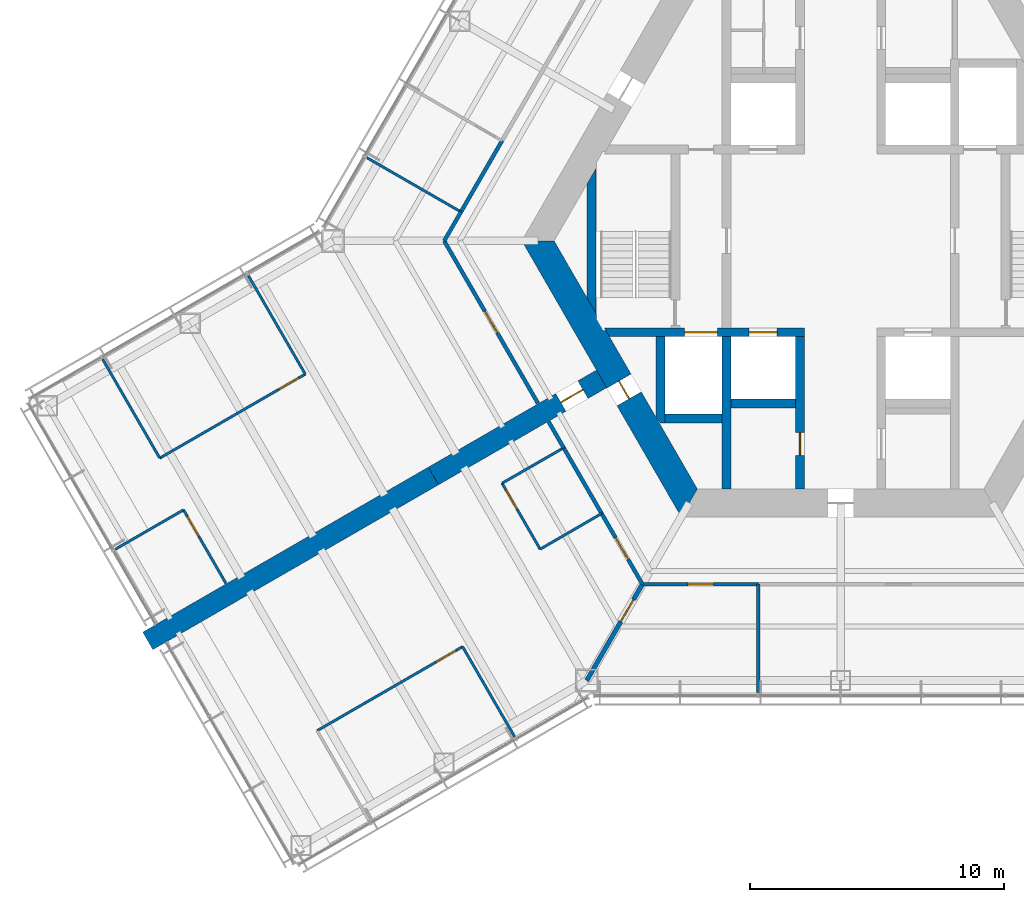
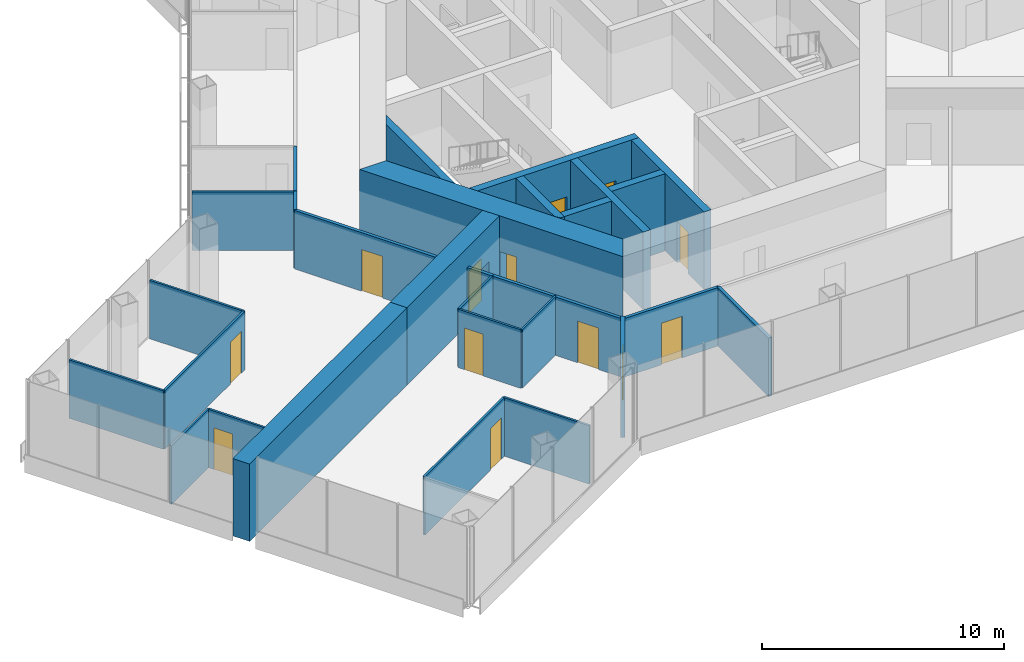
# One storey, part 12 of 18: 30 walls, 13 doors, 13 openings.
"""IFC4 building model written with IfcOpenShell, lengths in metres."""

from ifc_helpers import new_model, si_unit, direction, frame, frame_2d, origin, place, context, subcontext, project, spatial, polyline, rectangle, outline, extrude, material, layer, layer_set, type_object, element, fill, save


model = new_model("IFC4")

# Units and contexts
model_context = context("Model", 3, precision=1e-05, world=origin(), true_north=direction((0.0, 1.0)))
body_context = subcontext(model_context, "Body", "Model", "MODEL_VIEW")
ifc_project = project(units=[si_unit("LENGTHUNIT", "METRE"), si_unit("AREAUNIT", "SQUARE_METRE"), si_unit("VOLUMEUNIT", "CUBIC_METRE"), si_unit("PLANEANGLEUNIT", "RADIAN"), si_unit("MASSUNIT", "GRAM", prefix="KILO")], contexts=[model_context])

# Site, building, storey
site_placement = place(None, origin())
site = spatial("IfcSite", under=ifc_project, at=site_placement, CompositionType="ELEMENT")
building_placement = place(site_placement, origin())
building = spatial("IfcBuilding", under=site, at=building_placement, Name="Kasaneha Research Tower", CompositionType="ELEMENT")
storey_placement = place(building_placement, frame((0.0, 0.0, 80.699951171875)))
storey = spatial("IfcBuildingStorey", under=building, at=storey_placement, Name="L20", CompositionType="ELEMENT", Elevation=80.699951171875)

# Wall, openings, doors
ifc_material_1 = material(Name="Concrete Fc80", Category="concrete")
ifc_layer_1 = layer(ifc_material_1, 0.35009765625)
ifc_layer_set_1 = layer_set([ifc_layer_1], Name="Core internal wall 350 Fc80")
wall_type_1 = type_object("IfcWallType", Name="Core internal wall 350 Fc80", PredefinedType="SHEAR", material=ifc_layer_set_1)
wall_1_placement = place(storey_placement, frame((-9.208740234375, -3.60009765625, 0.0), z_axis=(0.0, 0.0, 1.0), x_axis=(1.0, 0.0, 0.0)))
wall_1 = element("IfcWall", 1, at=wall_1_placement, inside=storey, type_object=wall_type_1, Name="Core wall W2W L20", PredefinedType="SHEAR", context=body_context, shape_type="SweptSolid", body=[
    extrude(outline(polyline([(0.10107421875, -0.175048828125), (3.058837890625, -0.175048828125), (4.35888671875, -0.175048828125), (5.608642578125, -0.175048828125), (6.708740234375, -0.175048828125), (7.78369140625, -0.175048828125), (7.78369140625, 0.175048828125), (6.708740234375, 0.175048828125), (5.608642578125, 0.175048828125), (4.35888671875, 0.175048828125), (3.058837890625, 0.175048828125), (-0.10107421875, 0.175048828125), (0.10107421875, -0.175048828125)])), origin(), (0.0, 0.0, 1.0), 3.900146484375),
])
opening_1_placement = place(wall_1_placement, frame((5.608642578125, 0.0, 0.0)))
opening_1 = element("IfcOpeningElement", 2, at=opening_1_placement, cuts=wall_1, Name="Opening LD-LO2-L20", PredefinedType="OPENING", context=body_context, shape_type="SweptSolid", body=[
    extrude(rectangle(XDim=1.10009765625, YDim=2.10009765625, at=frame_2d((0.550048828125, 1.050048828125))), frame((0.0, 0.18505859375, 0.0), z_axis=(0.0, -1.0, 0.0), x_axis=(1.0, 0.0, 0.0)), (0.0, 0.0, 1.0), 0.3701171875),
])
opening_2_placement = place(wall_1_placement, frame((3.058837890625, 0.0, 0.0)))
opening_2 = element("IfcOpeningElement", 3, at=opening_2_placement, cuts=wall_1, Name="Opening LD-FL2-L20", PredefinedType="OPENING", context=body_context, shape_type="SweptSolid", body=[
    extrude(rectangle(XDim=1.300048828125, YDim=2.10009765625, at=frame_2d((0.64990234375, 1.050048828125))), frame((0.0, 0.18505859375, 0.0), z_axis=(0.0, -1.0, 0.0), x_axis=(1.0, 0.0, 0.0)), (0.0, 0.0, 1.0), 0.3701171875),
])
ifc_material_2 = material(Name="Steel", Category="steel")
door_type_1 = type_object("IfcDoorType", Name="Lift landing door 1100x2100", OperationType="DOUBLE_DOOR_SLIDING", PredefinedType="DOOR", material=ifc_material_2)
door_1_placement = place(opening_1_placement, origin())
door_1 = element("IfcDoor", 4, at=door_1_placement, inside=storey, type_object=door_type_1, Name="Landing door LO2 LD-LO2-L20", OperationType="DOUBLE_DOOR_SLIDING", OverallHeight=2.10009765625, OverallWidth=1.10009765625, PredefinedType="DOOR", context=body_context, shape_type="SweptSolid", body=[
    extrude(rectangle(XDim=1.10009765625, YDim=2.10009765625, at=frame_2d((0.550048828125, 1.050048828125))), frame((0.0, 0.02490234375, 0.0), z_axis=(0.0, -1.0, 0.0), x_axis=(1.0, 0.0, 0.0)), (0.0, 0.0, 1.0), 0.050048828125),
])
fill(opening_1, door_1)
ifc_material_3 = material(Name="Steel", Category="steel")
door_type_2 = type_object("IfcDoorType", Name="Lift landing door 1300x2100", OperationType="DOUBLE_DOOR_SLIDING", PredefinedType="DOOR", material=ifc_material_3)
door_2_placement = place(opening_2_placement, origin())
door_2 = element("IfcDoor", 5, at=door_2_placement, inside=storey, type_object=door_type_2, Name="Landing door FL2 LD-FL2-L20", OperationType="DOUBLE_DOOR_SLIDING", OverallHeight=2.10009765625, OverallWidth=1.300048828125, PredefinedType="DOOR", context=body_context, shape_type="SweptSolid", body=[
    extrude(rectangle(XDim=1.300048828125, YDim=2.10009765625, at=frame_2d((0.64990234375, 1.050048828125))), frame((0.0, 0.02490234375, 0.0), z_axis=(0.0, -1.0, 0.0), x_axis=(1.0, 0.0, 0.0)), (0.0, 0.0, 1.0), 0.050048828125),
])
fill(opening_2, door_2)

# Wall, opening, door
wall_2_placement = place(storey_placement, frame((-1.60009765625, -3.77490234375, 0.0), z_axis=(0.0, 0.0, 1.0), x_axis=(0.0, -1.0, 0.0)))
wall_2 = element("IfcWall", 6, at=wall_2_placement, inside=storey, type_object=wall_type_1, Name="Core wall CSW L20", PredefinedType="SHEAR", context=body_context, shape_type="SweptSolid", body=[
    extrude(rectangle(XDim=6.0, YDim=0.35009765625, at=frame_2d((3.0, 0.0))), origin(), (0.0, 0.0, 1.0), 3.900146484375),
])
opening_3_placement = place(wall_2_placement, frame((3.77490234375, 0.0, 0.0)))
opening_3 = element("IfcOpeningElement", 7, at=opening_3_placement, cuts=wall_2, Name="Opening L20-D16", PredefinedType="OPENING", context=body_context, shape_type="SweptSolid", body=[
    extrude(rectangle(XDim=0.89990234375, YDim=2.10009765625, at=frame_2d((0.449951171875, 1.050048828125))), frame((0.0, 0.18505859375, 0.0), z_axis=(0.0, -1.0, 0.0), x_axis=(1.0, 0.0, 0.0)), (0.0, 0.0, 1.0), 0.3701171875),
])
ifc_material_4 = material(Name="Steel", Category="steel")
door_type_3 = type_object("IfcDoorType", Name="Riser access door FD60 900x2100", OperationType="NOTDEFINED", PredefinedType="DOOR", material=ifc_material_4)
door_3_placement = place(opening_3_placement, origin())
door_3 = element("IfcDoor", 8, at=door_3_placement, inside=storey, type_object=door_type_3, Name="Electrical riser door L20-D16", OperationType="SINGLE_SWING_LEFT", OverallHeight=2.10009765625, OverallWidth=0.89990234375, PredefinedType="DOOR", context=body_context, shape_type="SweptSolid", body=[
    extrude(rectangle(XDim=0.89990234375, YDim=2.10009765625, at=frame_2d((0.449951171875, 1.050048828125))), frame((0.0, 0.02490234375, 0.0), z_axis=(0.0, -1.0, 0.0), x_axis=(1.0, 0.0, 0.0)), (0.0, 0.0, 1.0), 0.050048828125),
])
fill(opening_3, door_3)

# Walls
wall_3_placement = place(storey_placement, frame((-4.5, -3.77490234375, 0.0), z_axis=(0.0, 0.0, 1.0), x_axis=(0.0, -1.0, 0.0)))
element("IfcWall", 9, at=wall_3_placement, inside=storey, type_object=wall_type_1, Name="Core wall SSW L20", PredefinedType="SHEAR", context=body_context, shape_type="SweptSolid", body=[
    extrude(rectangle(XDim=6.0, YDim=0.35009765625, at=frame_2d((3.0, 0.0))), origin(), (0.0, 0.0, 1.0), 3.900146484375),
])
wall_4_placement = place(storey_placement, frame((-4.324951171875, -6.39990234375, 0.0), z_axis=(0.0, 0.0, 1.0), x_axis=(1.0, 0.0, 0.0)))
element("IfcWall", 10, at=wall_4_placement, inside=storey, type_object=wall_type_1, Name="Core wall S1S L20", PredefinedType="SHEAR", context=body_context, shape_type="SweptSolid", body=[
    extrude(rectangle(XDim=2.550048828125, YDim=0.35009765625, at=frame_2d((1.27490234375, 0.0))), origin(), (0.0, 0.0, 1.0), 3.900146484375),
])
wall_5_placement = place(storey_placement, frame((-6.925048828125, -7.0, 0.0), z_axis=(0.0, 0.0, 1.0), x_axis=(1.0, 0.0, 0.0)))
element("IfcWall", 11, at=wall_5_placement, inside=storey, type_object=wall_type_1, Name="Core wall F2S L20", PredefinedType="SHEAR", context=body_context, shape_type="SweptSolid", body=[
    extrude(rectangle(XDim=2.25, YDim=0.35009765625, at=frame_2d((1.125, 0.0))), origin(), (0.0, 0.0, 1.0), 3.900146484375),
])
wall_6_placement = place(storey_placement, frame((-7.10009765625, -3.77490234375, 0.0), z_axis=(0.0, 0.0, 1.0), x_axis=(0.0, -1.0, 0.0)))
element("IfcWall", 12, at=wall_6_placement, inside=storey, type_object=wall_type_1, Name="Core wall F2W L20", PredefinedType="SHEAR", context=body_context, shape_type="SweptSolid", body=[
    extrude(outline(polyline([(0.0, -0.175048828125), (3.174560546875, -0.175048828125), (3.400146484375, 0.0), (3.400146484375, 0.175048828125), (0.0, 0.175048828125), (0.0, -0.175048828125)])), origin(), (0.0, 0.0, 1.0), 3.900146484375),
])
wall_7_placement = place(storey_placement, frame((-9.807861328125, -2.562255859375, 0.0), z_axis=(0.0, 0.0, 1.0), x_axis=(0.0, 1.0, 0.0)))
element("IfcWall", 13, at=wall_7_placement, inside=storey, type_object=wall_type_1, Name="Core wall STW L20", PredefinedType="SHEAR", context=body_context, shape_type="SweptSolid", body=[
    extrude(outline(polyline([(-0.30322265625, -0.175048828125), (5.427734375, -0.175048828125), (4.8212890625, 0.175048828125), (0.30322265625, 0.175048828125), (-0.30322265625, -0.175048828125)])), origin(), (0.0, 0.0, 1.0), 3.900146484375),
])

# Wall, opening, door
ifc_material_5 = material(Name="Concrete Fc80", Category="concrete")
ifc_layer_2 = layer(ifc_material_5, 1.10009765625)
ifc_layer_set_2 = layer_set([ifc_layer_2], Name="Core wall 1100 Fc80")
wall_type_2 = type_object("IfcWallType", Name="Core wall 1100 Fc80", PredefinedType="SHEAR", material=ifc_layer_set_2)
wall_8_placement = place(storey_placement, frame((-11.92236328125, 0.0, 0.0), z_axis=(0.0, 0.0, 1.0), x_axis=(0.500004296715, -0.866022923061, 0.0)))
wall_8 = element("IfcWall", 14, at=wall_8_placement, inside=storey, type_object=wall_type_2, Name="Core wall 210 L20", PredefinedType="SHEAR", context=body_context, shape_type="SweptSolid", body=[
    extrude(outline(polyline([(-0.317626953125, -0.550048828125), (6.381103515625, -0.550048828125), (7.18115234375, -0.550048828125), (12.239990234375, -0.550048828125), (11.604736328125, 0.550048828125), (7.18115234375, 0.550048828125), (6.381103515625, 0.550048828125), (0.317626953125, 0.550048828125), (-0.317626953125, -0.550048828125)])), origin(), (0.0, 0.0, 1.0), 3.900146484375),
])
opening_4_placement = place(wall_8_placement, frame((6.381103515625, 0.0, 0.0)))
opening_4 = element("IfcOpeningElement", 15, at=opening_4_placement, cuts=wall_8, Name="Opening L20-D06", PredefinedType="OPENING", context=body_context, shape_type="SweptSolid", body=[
    extrude(rectangle(XDim=0.800048828125, YDim=2.10009765625, at=frame_2d((0.39990234375, 1.050048828125))), frame((0.0, 0.56005859375, 0.0), z_axis=(0.0, -1.0, 0.0), x_axis=(1.0, 0.0, 0.0)), (0.0, 0.0, 1.0), 1.1201171875),
])
ifc_material_6 = material(Name="Steel", Category="steel")
door_type_4 = type_object("IfcDoorType", Name="Riser access door FD60 800x2100", OperationType="NOTDEFINED", PredefinedType="DOOR", material=ifc_material_6)
door_4_placement = place(opening_4_placement, origin())
door_4 = element("IfcDoor", 16, at=door_4_placement, inside=storey, type_object=door_type_4, Name="Duct riser door L20-D06", OperationType="SINGLE_SWING_RIGHT", OverallHeight=2.10009765625, OverallWidth=0.800048828125, PredefinedType="DOOR", context=body_context, shape_type="SweptSolid", body=[
    extrude(rectangle(XDim=0.800048828125, YDim=2.10009765625, at=frame_2d((0.39990234375, 1.050048828125))), frame((0.0, 0.02490234375, 0.0), z_axis=(0.0, -1.0, 0.0), x_axis=(1.0, 0.0, 0.0)), (0.0, 0.0, 1.0), 0.050048828125),
])
fill(opening_4, door_4)

# Walls
ifc_material_7 = material(Name="Gypsum board on steel studs, one layer each side", Category="steel")
ifc_layer_3 = layer(ifc_material_7, 0.10009765625)
ifc_layer_set_3 = layer_set([ifc_layer_3], Name="Office partition 100")
wall_type_3 = type_object("IfcWallType", Name="Office partition 100", PredefinedType="PARTITIONING", material=ifc_layer_set_3)
wall_9_placement = place(storey_placement, frame((-14.957275390625, 1.143310546875, 0.0), z_axis=(0.0, 0.0, 1.0), x_axis=(-0.86652666665, 0.499130780441, 0.0)))
element("IfcWall", 17, at=wall_9_placement, inside=storey, type_object=wall_type_3, Name="Office partition FBN06 L20", PredefinedType="PARTITIONING", context=body_context, shape_type="SweptSolid", body=[
    extrude(rectangle(XDim=4.275390625, YDim=0.10009765625, at=frame_2d((2.1376953125, 0.0))), origin(), (0.0, 0.0, 1.0), 2.949951171875),
])
wall_10_placement = place(storey_placement, frame((-26.824951171875, -8.55908203125, 0.0), z_axis=(0.0, 0.0, 1.0), x_axis=(-0.500013631625, 0.866017533419, 0.0)))
element("IfcWall", 18, at=wall_10_placement, inside=storey, type_object=wall_type_3, Name="Office partition FBN08 L20", PredefinedType="PARTITIONING", context=body_context, shape_type="SweptSolid", body=[
    extrude(rectangle(XDim=4.499755859375, YDim=0.10009765625, at=frame_2d((2.25, 0.0))), origin(), (0.0, 0.0, 1.0), 2.949951171875),
])
wall_11_placement = place(storey_placement, frame((-23.332275390625, -1.36962890625, 0.0), z_axis=(0.0, 0.0, 1.0), x_axis=(0.499989762656, -0.866031314237, 0.0)))
element("IfcWall", 19, at=wall_11_placement, inside=storey, type_object=wall_type_3, Name="Office partition FBN09 L20", PredefinedType="PARTITIONING", context=body_context, shape_type="SweptSolid", body=[
    extrude(rectangle(XDim=4.47998046875, YDim=0.10009765625, at=frame_2d((2.239990234375, 0.0))), origin(), (0.0, 0.0, 1.0), 2.949951171875),
])

# Wall, opening, door
wall_12_placement = place(storey_placement, frame((-21.09228515625, -5.24951171875, 0.0), z_axis=(0.0, 0.0, 1.0), x_axis=(-0.866037567856, -0.499978930619, 0.0)))
wall_12 = element("IfcWall", 20, at=wall_12_placement, inside=storey, type_object=wall_type_3, Name="Office partition FBN10 L20", PredefinedType="PARTITIONING", context=body_context, shape_type="SweptSolid", body=[
    extrude(rectangle(XDim=6.619384765625, YDim=0.10009765625, at=frame_2d((3.3095703125, 0.0))), origin(), (0.0, 0.0, 1.0), 2.949951171875),
])
opening_5_placement = place(wall_12_placement, frame((0.300048828125, 0.0, 0.0)))
opening_5 = element("IfcOpeningElement", 21, at=opening_5_placement, cuts=wall_12, Name="Opening L20-D38", PredefinedType="OPENING", context=body_context, shape_type="SweptSolid", body=[
    extrude(rectangle(XDim=0.89990234375, YDim=2.10009765625, at=frame_2d((0.449951171875, 1.050048828125))), frame((0.0, 0.06005859375, 0.0), z_axis=(0.0, -1.0, 0.0), x_axis=(1.0, 0.0, 0.0)), (0.0, 0.0, 1.0), 0.1201171875),
])
ifc_material_8 = material(Name="Timber veneer", Category="wood")
door_type_5 = type_object("IfcDoorType", Name="Office door 900x2100", OperationType="SINGLE_SWING_LEFT", PredefinedType="DOOR", material=ifc_material_8)
door_5_placement = place(opening_5_placement, origin())
door_5 = element("IfcDoor", 22, at=door_5_placement, inside=storey, type_object=door_type_5, Name="Meeting room door L20-D38", OperationType="SINGLE_SWING_LEFT", OverallHeight=2.10009765625, OverallWidth=0.89990234375, PredefinedType="DOOR", context=body_context, shape_type="SweptSolid", body=[
    extrude(rectangle(XDim=0.89990234375, YDim=2.10009765625, at=frame_2d((0.449951171875, 1.050048828125))), frame((0.0, 0.02490234375, 0.0), z_axis=(0.0, -1.0, 0.0), x_axis=(1.0, 0.0, 0.0)), (0.0, 0.0, 1.0), 0.050048828125),
])
fill(opening_5, door_5)

# Wall
wall_13_placement = place(storey_placement, frame((-28.57470703125, -12.148193359375, 0.0), z_axis=(0.0, 0.0, 1.0), x_axis=(0.86602952684, 0.49999285859, 0.0)))
element("IfcWall", 23, at=wall_13_placement, inside=storey, type_object=wall_type_3, Name="Office partition FBN12 L20", PredefinedType="PARTITIONING", context=body_context, shape_type="SweptSolid", body=[
    extrude(rectangle(XDim=3.10009765625, YDim=0.10009765625, at=frame_2d((1.550048828125, 0.0))), origin(), (0.0, 0.0, 1.0), 2.949951171875),
])

# Wall, opening, door
wall_14_placement = place(storey_placement, frame((-25.889892578125, -10.59814453125, 0.0), z_axis=(0.0, 0.0, 1.0), x_axis=(0.499928740635, -0.866066541489, 0.0)))
wall_14 = element("IfcWall", 24, at=wall_14_placement, inside=storey, type_object=wall_type_3, Name="Office partition FBN13 L20", PredefinedType="PARTITIONING", context=body_context, shape_type="SweptSolid", body=[
    extrude(rectangle(XDim=3.3466796875, YDim=0.10009765625, at=frame_2d((1.67333984375, 0.0))), origin(), (0.0, 0.0, 1.0), 2.949951171875),
])
opening_6_placement = place(wall_14_placement, frame((0.300048828125, 0.0, 0.0)))
opening_6 = element("IfcOpeningElement", 25, at=opening_6_placement, cuts=wall_14, Name="Opening L20-D40", PredefinedType="OPENING", context=body_context, shape_type="SweptSolid", body=[
    extrude(rectangle(XDim=0.89990234375, YDim=2.10009765625, at=frame_2d((0.449951171875, 1.050048828125))), frame((0.0, 0.06005859375, 0.0), z_axis=(0.0, -1.0, 0.0), x_axis=(1.0, 0.0, 0.0)), (0.0, 0.0, 1.0), 0.1201171875),
])
door_6_placement = place(opening_6_placement, origin())
door_6 = element("IfcDoor", 26, at=door_6_placement, inside=storey, type_object=door_type_5, Name="Phone room door L20-D40", OperationType="SINGLE_SWING_LEFT", OverallHeight=2.10009765625, OverallWidth=0.89990234375, PredefinedType="DOOR", context=body_context, shape_type="SweptSolid", body=[
    extrude(rectangle(XDim=0.89990234375, YDim=2.10009765625, at=frame_2d((0.449951171875, 1.050048828125))), frame((0.0, 0.02490234375, 0.0), z_axis=(0.0, -1.0, 0.0), x_axis=(1.0, 0.0, 0.0)), (0.0, 0.0, 1.0), 0.050048828125),
])
fill(opening_6, door_6)

# Wall
wall_15_placement = place(storey_placement, frame((-13.337890625, -9.548095703125, 0.0), z_axis=(0.0, 0.0, 1.0), x_axis=(0.866833758708, 0.498597267105, 0.0)))
element("IfcWall", 27, at=wall_15_placement, inside=storey, type_object=wall_type_3, Name="Office partition FBS04 L20", PredefinedType="PARTITIONING", context=body_context, shape_type="SweptSolid", body=[
    extrude(rectangle(XDim=2.7998046875, YDim=0.10009765625, at=frame_2d((1.39990234375, 0.0))), origin(), (0.0, 0.0, 1.0), 2.949951171875),
])

# Wall, opening, door
wall_16_placement = place(storey_placement, frame((-11.837890625, -12.146240234375, 0.0), z_axis=(0.0, 0.0, 1.0), x_axis=(-0.499990139034, 0.866031096941, 0.0)))
wall_16 = element("IfcWall", 28, at=wall_16_placement, inside=storey, type_object=wall_type_3, Name="Office partition FBS05 L20", PredefinedType="PARTITIONING", context=body_context, shape_type="SweptSolid", body=[
    extrude(rectangle(XDim=3.0, YDim=0.10009765625, at=frame_2d((1.5, 0.0))), origin(), (0.0, 0.0, 1.0), 2.949951171875),
])
opening_7_placement = place(wall_16_placement, frame((1.800048828125, 0.0, 0.0)))
opening_7 = element("IfcOpeningElement", 29, at=opening_7_placement, cuts=wall_16, Name="Opening L20-D42", PredefinedType="OPENING", context=body_context, shape_type="SweptSolid", body=[
    extrude(rectangle(XDim=0.89990234375, YDim=2.10009765625, at=frame_2d((0.449951171875, 1.050048828125))), frame((0.0, 0.06005859375, 0.0), z_axis=(0.0, -1.0, 0.0), x_axis=(1.0, 0.0, 0.0)), (0.0, 0.0, 1.0), 0.1201171875),
])
door_7_placement = place(opening_7_placement, origin())
door_7 = element("IfcDoor", 30, at=door_7_placement, inside=storey, type_object=door_type_5, Name="Pantry door L20-D42", OperationType="SINGLE_SWING_RIGHT", OverallHeight=2.10009765625, OverallWidth=0.89990234375, PredefinedType="DOOR", context=body_context, shape_type="SweptSolid", body=[
    extrude(rectangle(XDim=0.89990234375, YDim=2.10009765625, at=frame_2d((0.449951171875, 1.050048828125))), frame((0.0, 0.02490234375, 0.0), z_axis=(0.0, -1.0, 0.0), x_axis=(1.0, 0.0, 0.0)), (0.0, 0.0, 1.0), 0.050048828125),
])
fill(opening_7, door_7)

# Wall
wall_17_placement = place(storey_placement, frame((-9.415283203125, -10.7421875, 0.0), z_axis=(0.0, 0.0, 1.0), x_axis=(-0.865195372903, -0.501434907746, 0.0)))
element("IfcWall", 31, at=wall_17_placement, inside=storey, type_object=wall_type_3, Name="Office partition FBS06 L20", PredefinedType="PARTITIONING", context=body_context, shape_type="SweptSolid", body=[
    extrude(rectangle(XDim=2.800048828125, YDim=0.10009765625, at=frame_2d((1.39990234375, 0.0))), origin(), (0.0, 0.0, 1.0), 2.949951171875),
])

# Wall, opening, door
wall_18_placement = place(storey_placement, frame((-20.625, -19.2978515625, 0.0), z_axis=(0.0, 0.0, 1.0), x_axis=(0.866030817826, 0.499990622488, 0.0)))
wall_18 = element("IfcWall", 32, at=wall_18_placement, inside=storey, type_object=wall_type_3, Name="Office partition FBS07 L20", PredefinedType="PARTITIONING", context=body_context, shape_type="SweptSolid", body=[
    extrude(rectangle(XDim=6.619873046875, YDim=0.10009765625, at=frame_2d((3.31005859375, 0.0))), origin(), (0.0, 0.0, 1.0), 2.949951171875),
])
opening_8_placement = place(wall_18_placement, frame((5.419677734375, 0.0, 0.0)))
opening_8 = element("IfcOpeningElement", 33, at=opening_8_placement, cuts=wall_18, Name="Opening L20-D43", PredefinedType="OPENING", context=body_context, shape_type="SweptSolid", body=[
    extrude(rectangle(XDim=0.89990234375, YDim=2.10009765625, at=frame_2d((0.449951171875, 1.050048828125))), frame((0.0, 0.06005859375, 0.0), z_axis=(0.0, -1.0, 0.0), x_axis=(1.0, 0.0, 0.0)), (0.0, 0.0, 1.0), 0.1201171875),
])
door_8_placement = place(opening_8_placement, origin())
door_8 = element("IfcDoor", 34, at=door_8_placement, inside=storey, type_object=door_type_5, Name="Meeting room door L20-D43", OperationType="SINGLE_SWING_RIGHT", OverallHeight=2.10009765625, OverallWidth=0.89990234375, PredefinedType="DOOR", context=body_context, shape_type="SweptSolid", body=[
    extrude(rectangle(XDim=0.89990234375, YDim=2.10009765625, at=frame_2d((0.449951171875, 1.050048828125))), frame((0.0, 0.02490234375, 0.0), z_axis=(0.0, -1.0, 0.0), x_axis=(1.0, 0.0, 0.0)), (0.0, 0.0, 1.0), 0.050048828125),
])
fill(opening_8, door_8)

# Wall
wall_19_placement = place(storey_placement, frame((-14.89208984375, -15.988037109375, 0.0), z_axis=(0.0, 0.0, 1.0), x_axis=(0.499956128963, -0.866050731258, 0.0)))
element("IfcWall", 35, at=wall_19_placement, inside=storey, type_object=wall_type_3, Name="Office partition FBS09 L20", PredefinedType="PARTITIONING", context=body_context, shape_type="SweptSolid", body=[
    extrude(rectangle(XDim=4.099853515625, YDim=0.10009765625, at=frame_2d((2.0498046875, 0.0))), origin(), (0.0, 0.0, 1.0), 2.949951171875),
])

# Wall, opening, door
ifc_material_9 = material(Name="Concrete Fc80", Category="concrete")
ifc_layer_4 = layer(ifc_material_9, 0.800048828125)
ifc_layer_set_4 = layer_set([ifc_layer_4], Name="Spine wall 800 Fc80")
wall_type_4 = type_object("IfcWallType", Name="Spine wall 800 Fc80", PredefinedType="SHEAR", material=ifc_layer_set_4)
wall_20_placement = place(storey_placement, frame((-9.41796875, -5.4375, 0.0), z_axis=(0.0, 0.0, 1.0), x_axis=(-0.866029782078, -0.499992416496, 0.0)))
wall_20 = element("IfcWall", 36, at=wall_20_placement, inside=storey, type_object=wall_type_4, Name="Spine wall B L20", PredefinedType="SHEAR", context=body_context, shape_type="SweptSolid", body=[
    extrude(rectangle(XDim=7.6455078125, YDim=0.800048828125, at=frame_2d((3.82275390625, 0.0))), origin(), (0.0, 0.0, 1.0), 3.900146484375),
])
opening_9_placement = place(wall_20_placement, frame((0.85009765625, 0.0, 0.0)))
opening_9 = element("IfcOpeningElement", 37, at=opening_9_placement, cuts=wall_20, Name="Opening L20-D18", PredefinedType="OPENING", context=body_context, shape_type="SweptSolid", body=[
    extrude(rectangle(XDim=1.0, YDim=2.10009765625, at=frame_2d((0.5, 1.050048828125))), frame((0.0, 0.41015625, 0.0), z_axis=(0.0, -1.0, 0.0), x_axis=(1.0, 0.0, 0.0)), (0.0, 0.0, 1.0), 0.820068359375),
])
ifc_material_10 = material(Name="Steel", Category="steel")
door_type_6 = type_object("IfcDoorType", Name="Specified fire door FD60 1000x2100", OperationType="NOTDEFINED", PredefinedType="DOOR", material=ifc_material_10)
door_9_placement = place(opening_9_placement, origin())
door_9 = element("IfcDoor", 38, at=door_9_placement, inside=storey, type_object=door_type_6, Name="Spine doorway B L20-D18", OperationType="SINGLE_SWING_LEFT", OverallHeight=2.10009765625, OverallWidth=1.0, PredefinedType="DOOR", context=body_context, shape_type="SweptSolid", body=[
    extrude(rectangle(XDim=1.0, YDim=2.10009765625, at=frame_2d((0.5, 1.050048828125))), frame((0.0, 0.02490234375, 0.0), z_axis=(0.0, -1.0, 0.0), x_axis=(1.0, 0.0, 0.0)), (0.0, 0.0, 1.0), 0.050048828125),
])
fill(opening_9, door_9)

# Walls
wall_21_placement = place(storey_placement, frame((-16.039306640625, -9.26025390625, 0.0), z_axis=(0.0, 0.0, 1.0), x_axis=(-0.866024837091, -0.50000098154, 0.0)))
element("IfcWall", 39, at=wall_21_placement, inside=storey, type_object=wall_type_4, Name="Spine wall B wing L20", PredefinedType="SHEAR", context=body_context, shape_type="SweptSolid", body=[
    extrude(rectangle(XDim=13.0, YDim=0.800048828125, at=frame_2d((6.5, 0.0))), origin(), (0.0, 0.0, 1.0), 3.900146484375),
])
ifc_material_11 = material(Name="Gypsum board on steel studs, two layers each side", Category="steel")
ifc_layer_5 = layer(ifc_material_11, 0.14990234375)
ifc_layer_set_5 = layer_set([ifc_layer_5], Name="Suite partition 150")
wall_type_5 = type_object("IfcWallType", Name="Suite partition 150", PredefinedType="PARTITIONING", material=ifc_layer_set_5)
wall_22_placement = place(storey_placement, frame((-14.9619140625, 1.13525390625, 0.0), z_axis=(0.0, 0.0, 1.0), x_axis=(0.500001520505, 0.866024525919, 0.0)))
element("IfcWall", 40, at=wall_22_placement, inside=storey, type_object=wall_type_5, Name="Suite partition FBN01 L20", PredefinedType="PARTITIONING", context=body_context, shape_type="SweptSolid", body=[
    extrude(rectangle(XDim=3.25634765625, YDim=0.14990234375, at=frame_2d((1.628173828125, 0.0))), origin(), (0.0, 0.0, 1.0), 2.949951171875),
])
wall_23_placement = place(storey_placement, frame((-15.6171875, 0.0, 0.0), z_axis=(0.0, 0.0, 1.0), x_axis=(0.499898558967, 0.866083962871, 0.0)))
element("IfcWall", 41, at=wall_23_placement, inside=storey, type_object=wall_type_5, Name="Suite partition FBN03 L20", PredefinedType="PARTITIONING", context=body_context, shape_type="SweptSolid", body=[
    extrude(rectangle(XDim=1.320068359375, YDim=0.14990234375, at=frame_2d((0.66015625, 0.0))), origin(), (0.0, 0.0, 1.0), 2.949951171875),
])

# Wall, opening, door
wall_24_placement = place(storey_placement, frame((-11.923095703125, -6.398681640625, 0.0), z_axis=(0.0, 0.0, 1.0), x_axis=(-0.499980837837, 0.866036466782, 0.0)))
wall_24 = element("IfcWall", 42, at=wall_24_placement, inside=storey, type_object=wall_type_5, Name="Suite partition FBN04 L20", PredefinedType="PARTITIONING", context=body_context, shape_type="SweptSolid", body=[
    extrude(rectangle(XDim=7.388427734375, YDim=0.14990234375, at=frame_2d((3.6943359375, 0.0))), origin(), (0.0, 0.0, 1.0), 2.949951171875),
])
opening_10_placement = place(wall_24_placement, frame((3.1943359375, 0.0, 0.0)))
opening_10 = element("IfcOpeningElement", 43, at=opening_10_placement, cuts=wall_24, Name="Opening L20-D35", PredefinedType="OPENING", context=body_context, shape_type="SweptSolid", body=[
    extrude(rectangle(XDim=1.0, YDim=2.10009765625, at=frame_2d((0.5, 1.050048828125))), frame((0.0, 0.0849609375, 0.0), z_axis=(0.0, -1.0, 0.0), x_axis=(1.0, 0.0, 0.0)), (0.0, 0.0, 1.0), 0.169921875),
])
ifc_material_12 = material(Name="Steel", Category="steel")
door_type_7 = type_object("IfcDoorType", Name="Suite entrance door FD60 1000x2100", OperationType="NOTDEFINED", PredefinedType="DOOR", material=ifc_material_12)
door_10_placement = place(opening_10_placement, origin())
door_10 = element("IfcDoor", 44, at=door_10_placement, inside=storey, type_object=door_type_7, Name="Suite entrance door L20-D35", OperationType="SINGLE_SWING_RIGHT", OverallHeight=2.10009765625, OverallWidth=1.0, PredefinedType="DOOR", context=body_context, shape_type="SweptSolid", body=[
    extrude(rectangle(XDim=1.0, YDim=2.10009765625, at=frame_2d((0.5, 1.050048828125))), frame((0.0, 0.02490234375, 0.0), z_axis=(0.0, -1.0, 0.0), x_axis=(1.0, 0.0, 0.0)), (0.0, 0.0, 1.0), 0.050048828125),
])
fill(opening_10, door_10)

# Walls
wall_25_placement = place(storey_placement, frame((-9.410400390625, -10.75048828125, 0.0), z_axis=(0.0, 0.0, 1.0), x_axis=(-0.500038395149, 0.8660032352, 0.0)))
element("IfcWall", 45, at=wall_25_placement, inside=storey, type_object=wall_type_5, Name="Suite partition FBS01 L20", PredefinedType="PARTITIONING", context=body_context, shape_type="SweptSolid", body=[
    extrude(rectangle(XDim=3.010009765625, YDim=0.14990234375, at=frame_2d((1.5048828125, 0.0))), origin(), (0.0, 0.0, 1.0), 2.949951171875),
])
wall_26_placement = place(storey_placement, frame((-10.910888671875, -8.152099609375, 0.0), z_axis=(0.0, 0.0, 1.0), x_axis=(-0.499841408252, 0.866116947413, 0.0)))
element("IfcWall", 46, at=wall_26_placement, inside=storey, type_object=wall_type_5, Name="Suite partition FBS02 L20", PredefinedType="PARTITIONING", context=body_context, shape_type="SweptSolid", body=[
    extrude(rectangle(XDim=1.1845703125, YDim=0.14990234375, at=frame_2d((0.59228515625, 0.0))), origin(), (0.0, 0.0, 1.0), 2.949951171875),
])

# Wall, opening, door
wall_27_placement = place(storey_placement, frame((-7.8203125, -13.5048828125, 0.0), z_axis=(0.0, 0.0, 1.0), x_axis=(-0.499983030129, 0.866035201123, 0.0)))
wall_27 = element("IfcWall", 47, at=wall_27_placement, inside=storey, type_object=wall_type_5, Name="Suite partition FBS03 L20", PredefinedType="PARTITIONING", context=body_context, shape_type="SweptSolid", body=[
    extrude(rectangle(XDim=3.18994140625, YDim=0.14990234375, at=frame_2d((1.594970703125, 0.0))), origin(), (0.0, 0.0, 1.0), 2.949951171875),
])
opening_11_placement = place(wall_27_placement, frame((1.094970703125, 0.0, 0.0)))
opening_11 = element("IfcOpeningElement", 48, at=opening_11_placement, cuts=wall_27, Name="Opening L20-D41", PredefinedType="OPENING", context=body_context, shape_type="SweptSolid", body=[
    extrude(rectangle(XDim=1.0, YDim=2.10009765625, at=frame_2d((0.5, 1.050048828125))), frame((0.0, 0.0849609375, 0.0), z_axis=(0.0, -1.0, 0.0), x_axis=(1.0, 0.0, 0.0)), (0.0, 0.0, 1.0), 0.169921875),
])
door_11_placement = place(opening_11_placement, origin())
door_11 = element("IfcDoor", 49, at=door_11_placement, inside=storey, type_object=door_type_7, Name="Suite entrance door L20-D41", OperationType="SINGLE_SWING_RIGHT", OverallHeight=2.10009765625, OverallWidth=1.0, PredefinedType="DOOR", context=body_context, shape_type="SweptSolid", body=[
    extrude(rectangle(XDim=1.0, YDim=2.10009765625, at=frame_2d((0.5, 1.050048828125))), frame((0.0, 0.02490234375, 0.0), z_axis=(0.0, -1.0, 0.0), x_axis=(1.0, 0.0, 0.0)), (0.0, 0.0, 1.0), 0.050048828125),
])
fill(opening_11, door_11)

wall_28_placement = place(storey_placement, frame((-3.241455078125, -13.52490234375, 0.0), z_axis=(0.0, 0.0, 1.0), x_axis=(-1.0, 0.0, 0.0)))
wall_28 = element("IfcWall", 50, at=wall_28_placement, inside=storey, type_object=wall_type_5, Name="Suite partition FCS03 L20", PredefinedType="PARTITIONING", context=body_context, shape_type="SweptSolid", body=[
    extrude(rectangle(XDim=4.544189453125, YDim=0.14990234375, at=frame_2d((2.27197265625, 0.0))), origin(), (0.0, 0.0, 1.0), 2.949951171875),
])
opening_12_placement = place(wall_28_placement, frame((1.772216796875, 0.0, 0.0)))
opening_12 = element("IfcOpeningElement", 51, at=opening_12_placement, cuts=wall_28, Name="Opening L20-D47", PredefinedType="OPENING", context=body_context, shape_type="SweptSolid", body=[
    extrude(rectangle(XDim=1.0, YDim=2.10009765625, at=frame_2d((0.5, 1.050048828125))), frame((0.0, 0.0849609375, 0.0), z_axis=(0.0, -1.0, 0.0), x_axis=(1.0, 0.0, 0.0)), (0.0, 0.0, 1.0), 0.169921875),
])
door_12_placement = place(opening_12_placement, origin())
door_12 = element("IfcDoor", 52, at=door_12_placement, inside=storey, type_object=door_type_7, Name="Suite entrance door L20-D47", OperationType="SINGLE_SWING_LEFT", OverallHeight=2.10009765625, OverallWidth=1.0, PredefinedType="DOOR", context=body_context, shape_type="SweptSolid", body=[
    extrude(rectangle(XDim=1.0, YDim=2.10009765625, at=frame_2d((0.5, 1.050048828125))), frame((0.0, 0.02490234375, 0.0), z_axis=(0.0, -1.0, 0.0), x_axis=(1.0, 0.0, 0.0)), (0.0, 0.0, 1.0), 0.050048828125),
])
fill(opening_12, door_12)

# Wall
wall_29_placement = place(storey_placement, frame((-3.246337890625, -17.800537109375, 0.0), z_axis=(0.0, 0.0, 1.0), x_axis=(0.001142138482, 0.99999934776, 0.0)))
element("IfcWall", 53, at=wall_29_placement, inside=storey, type_object=wall_type_5, Name="Suite partition FCS07 L20", PredefinedType="PARTITIONING", context=body_context, shape_type="SweptSolid", body=[
    extrude(rectangle(XDim=4.275146484375, YDim=0.14990234375, at=frame_2d((2.1376953125, 0.0))), origin(), (0.0, 0.0, 1.0), 2.949951171875),
])

# Wall, opening, door
ifc_material_13 = material(Name="Gypsum board on steel studs, two layers each side", Category="steel")
ifc_layer_6 = layer(ifc_material_13, 0.175048828125)
ifc_layer_set_6 = layer_set([ifc_layer_6], Name="Tenancy fire partition 175")
wall_type_6 = type_object("IfcWallType", Name="Tenancy fire partition 175", PredefinedType="PARTITIONING", material=ifc_layer_set_6)
wall_30_placement = place(storey_placement, frame((-7.80859375, -13.52490234375, 0.0), z_axis=(0.0, 0.0, 1.0), x_axis=(-0.499997299682, -0.866026962808, 0.0)))
wall_30 = element("IfcWall", 54, at=wall_30_placement, inside=storey, type_object=wall_type_6, Name="Tenancy fire partition T240 L20", PredefinedType="PARTITIONING", context=body_context, shape_type="SweptSolid", body=[
    extrude(rectangle(XDim=4.3828125, YDim=0.175048828125, at=frame_2d((2.19140625, 0.0))), origin(), (0.0, 0.0, 1.0), 3.050048828125),
])
opening_13_placement = place(wall_30_placement, frame((0.699951171875, 0.0, 0.0)))
opening_13 = element("IfcOpeningElement", 55, at=opening_13_placement, cuts=wall_30, Name="Opening L20-D24", PredefinedType="OPENING", context=body_context, shape_type="SweptSolid", body=[
    extrude(rectangle(XDim=1.0, YDim=2.10009765625, at=frame_2d((0.5, 1.050048828125))), frame((0.0, 0.09765625, 0.0), z_axis=(0.0, -1.0, 0.0), x_axis=(1.0, 0.0, 0.0)), (0.0, 0.0, 1.0), 0.195068359375),
])
door_13_placement = place(opening_13_placement, origin())
door_13 = element("IfcDoor", 56, at=door_13_placement, inside=storey, type_object=door_type_7, Name="Connecting door L20-D24", OperationType="SINGLE_SWING_LEFT", OverallHeight=2.10009765625, OverallWidth=1.0, PredefinedType="DOOR", context=body_context, shape_type="SweptSolid", body=[
    extrude(rectangle(XDim=1.0, YDim=2.10009765625, at=frame_2d((0.5, 1.050048828125))), frame((0.0, 0.02490234375, 0.0), z_axis=(0.0, -1.0, 0.0), x_axis=(1.0, 0.0, 0.0)), (0.0, 0.0, 1.0), 0.050048828125),
])
fill(opening_13, door_13)

save(model, "model.ifc")
